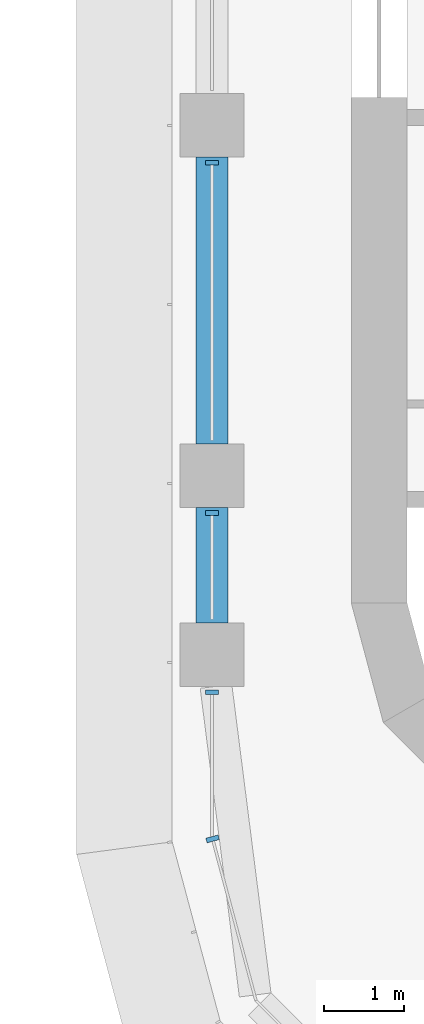
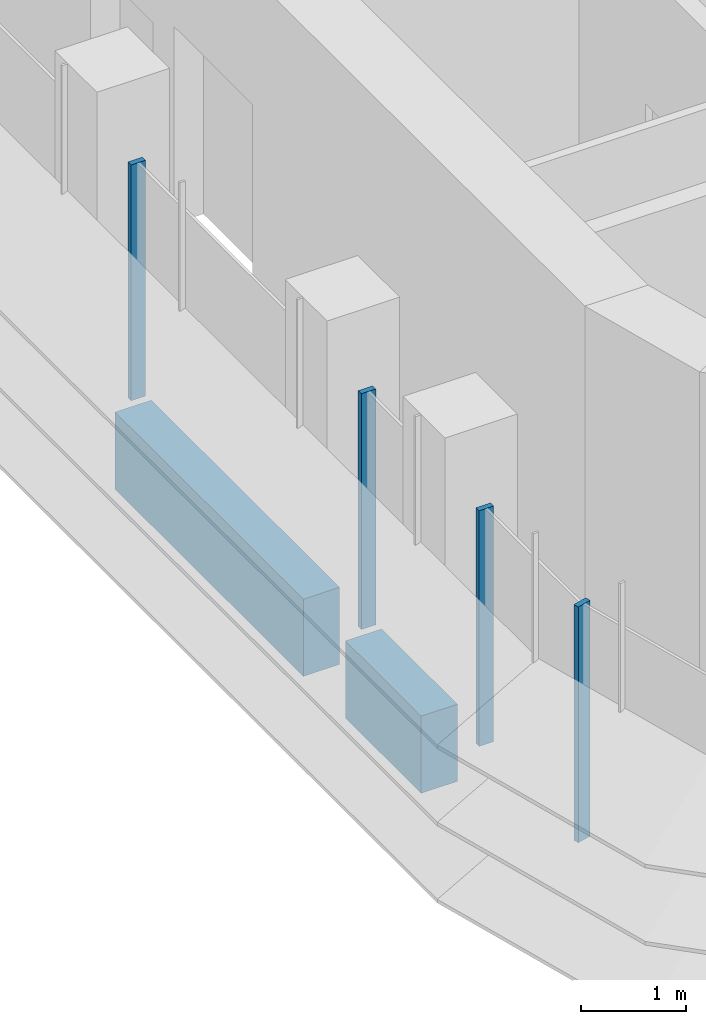
# One storey, part 2 of 20: 4 members, 2 beams, 2 elements without a shape of their own.
"""IFC4 building model written with IfcOpenShell, lengths in metres."""

from ifc_helpers import new_model, si_unit, direction, frame, origin, origin_2d, place, context, subcontext, project, spatial, polyline, rectangle, outline, extrude, source, transform, mapped, material, material_profile, profile_set, type_object, element, aggregate, save


model = new_model("IFC4")

# Units and contexts
model_context = context("Model", 3, precision=1e-05, world=origin(), true_north=direction((0.0, 1.0)))
body_context = subcontext(model_context, "Body", "Model", "MODEL_VIEW")
ifc_project = project(units=[si_unit("LENGTHUNIT", "METRE"), si_unit("AREAUNIT", "SQUARE_METRE"), si_unit("VOLUMEUNIT", "CUBIC_METRE"), si_unit("PLANEANGLEUNIT", "RADIAN"), si_unit("MASSUNIT", "GRAM", prefix="KILO")], contexts=[model_context])

# Site, building, storey
site_placement = place(None, origin())
site = spatial("IfcSite", under=ifc_project, at=site_placement, CompositionType="ELEMENT")
building_placement = place(site_placement, origin())
building = spatial("IfcBuilding", under=site, at=building_placement, Name="Zarbagh Exchange Tower", CompositionType="ELEMENT")
storey_placement = place(building_placement, frame((0.0, 0.0, 144.800048828125)))
storey = spatial("IfcBuildingStorey", under=building, at=storey_placement, Name="L34", CompositionType="ELEMENT", Elevation=144.800048828125)

# Beams
ifc_material_1 = material(Name="Concrete C50/60", Category="concrete")
ifc_material_profile = material_profile(ifc_material_1, rectangle(XDim=0.39990234375, YDim=0.89990234375, at=origin_2d()), Name="RC spandrel beam 400 x 900 C50/60")
ifc_profile_set = profile_set([ifc_material_profile], Name="Concrete C50/60")
beam_type = type_object("IfcBeamType", Name="RC spandrel beam 400 x 900 C50/60", PredefinedType="SPANDREL", material=ifc_profile_set)
beam_1_placement = place(storey_placement, frame((-6.25, -26.5, -0.60009765625), z_axis=(0.0, 1.0, 0.0), x_axis=(-1.0, 0.0, 0.0)))
element("IfcBeam", 1, at=beam_1_placement, inside=storey, type_object=beam_type, Name="RC spandrel beam", PredefinedType="SPANDREL", context=body_context, shape_type="SweptSolid", body=[
    extrude(rectangle(XDim=0.39990234375, YDim=0.89990234375, at=origin_2d()), origin(), (0.0, 0.0, 1.0), 1.449951171875),
])
beam_2_placement = place(storey_placement, frame((-6.25, -24.25, -0.60009765625), z_axis=(0.0, 1.0, 0.0), x_axis=(-1.0, 0.0, 0.0)))
element("IfcBeam", 2, at=beam_2_placement, inside=storey, type_object=beam_type, Name="RC spandrel beam", PredefinedType="SPANDREL", context=body_context, shape_type="SweptSolid", body=[
    extrude(rectangle(XDim=0.39990234375, YDim=0.89990234375, at=origin_2d()), origin(), (0.0, 0.0, 1.0), 3.60009765625),
])

# Curtain wall, members
ifc_material_2 = material(Name="Anodised aluminium frame and glazing", Category="aluminium")
curtain_wall_type = type_object("IfcCurtainWallType", Name="CWB Ribbon glazing, upper zones", PredefinedType="NOTDEFINED", material=ifc_material_2)
curtain_wall_1_placement = place(storey_placement, origin())
curtain_wall_1 = element("IfcCurtainWall", 3, at=curtain_wall_1_placement, inside=storey, type_object=curtain_wall_type, Name="CWB44 curtain wall", PredefinedType="NOTDEFINED")
ifc_material_3 = material(Name="Anodised aluminium frame", Category="aluminium")
member_type = type_object("IfcMemberType", Name="MUB Mullion, anodised aluminium frame", PredefinedType="MULLION", material=ifc_material_3)
shared_shape = source(origin(), body_context, "Body", "SweptSolid", [
    extrude(outline(polyline([(0.0, -0.080078125), (0.06005859375, -0.080078125), (0.06005859375, 0.080078125), (0.0, 0.080078125), (0.0, -0.080078125)])), origin(), (0.0, 0.0, 1.0), 2.75),
])
placement = place(storey_placement, origin())
member_1 = element("IfcMember", 4, at=placement, type_object=member_type, Name="CWB44 mullion 3.1", PredefinedType="MULLION", context=body_context, shape_type="MappedRepresentation", body=[
    mapped(shared_shape, transform((-6.25, -20.68994140625, 0.0), x_axis=(0.0, -1.0, 0.0), y_axis=(1.0, 0.0, 0.0), z_axis=(0.0, 0.0, 1.0))),
])
member_2 = element("IfcMember", 5, at=placement, type_object=member_type, Name="CWB44 mullion 4.1", PredefinedType="MULLION", context=body_context, shape_type="MappedRepresentation", body=[
    mapped(shared_shape, transform((-6.25, -25.090087890625, 0.0), x_axis=(0.0, -1.0, 0.0), y_axis=(1.0, 0.0, 0.0), z_axis=(0.0, 0.0, 1.0))),
])
member_3 = element("IfcMember", 6, at=placement, type_object=member_type, Name="CWB44 mullion 5.1", PredefinedType="MULLION", context=body_context, shape_type="MappedRepresentation", body=[
    mapped(shared_shape, transform((-6.25, -27.340087890625, 0.0), x_axis=(0.0, -1.0, 0.0), y_axis=(1.0, 0.0, 0.0), z_axis=(0.0, 0.0, 1.0))),
])
aggregate(curtain_wall_1, [member_1, member_2, member_3])

# Curtain wall, member
curtain_wall_2_placement = place(storey_placement, origin())
curtain_wall_2 = element("IfcCurtainWall", 7, at=curtain_wall_2_placement, inside=storey, type_object=curtain_wall_type, Name="CWB45 curtain wall", PredefinedType="NOTDEFINED")
member_4 = element("IfcMember", 8, at=placement, type_object=member_type, Name="CWB45 mullion 1.1", PredefinedType="MULLION", context=body_context, shape_type="MappedRepresentation", body=[
    mapped(shared_shape, transform((-6.25, -29.18408203125, 0.0), x_axis=(0.258824779902, -0.965924289636, 0.0), y_axis=(0.965924289636, 0.258824779902, 0.0), z_axis=(0.0, 0.0, 1.0))),
])
aggregate(curtain_wall_2, [member_4])

save(model, "model.ifc")
